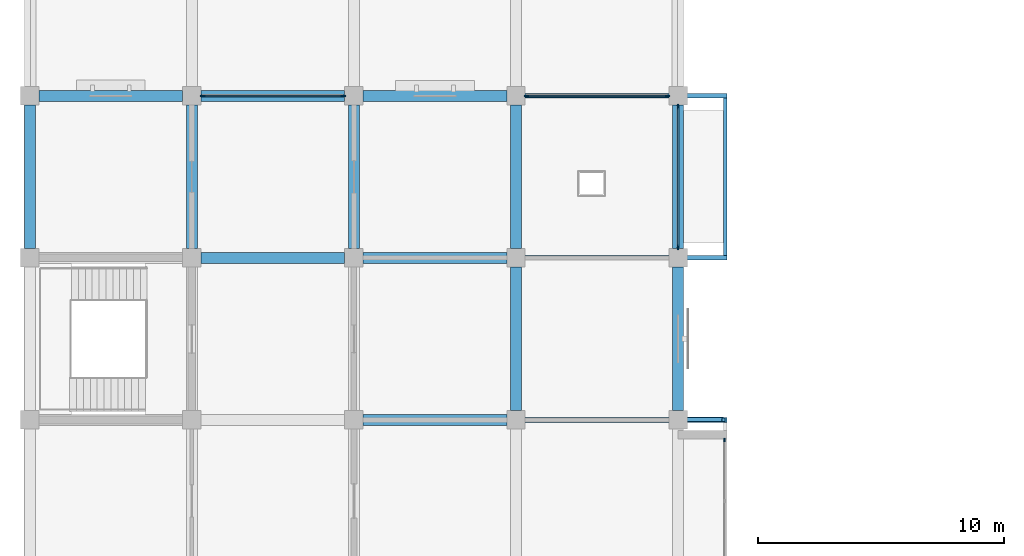
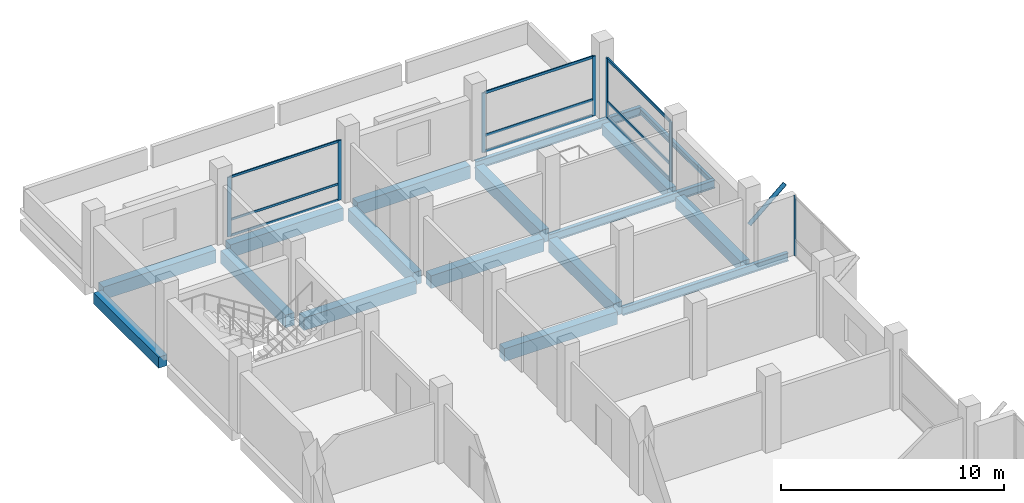
# One storey, part 5 of 15: 17 beams, 17 members, 4 elements without a shape of their own.
"""IFC4 building model written with IfcOpenShell, lengths in metres."""

from ifc_helpers import new_model, si_unit, direction, frame, origin, origin_2d, place, context, subcontext, project, spatial, rectangle, hollow_circle, i_section, extrude, material, material_profile, profile_set, type_object, element, aggregate, save


model = new_model("IFC4")

# Units and contexts
model_context = context("Model", 3, precision=1e-05, world=origin(), true_north=direction((0.0, 1.0)))
body_context = subcontext(model_context, "Body", "Model", "MODEL_VIEW")
ifc_project = project(units=[si_unit("LENGTHUNIT", "METRE"), si_unit("AREAUNIT", "SQUARE_METRE"), si_unit("VOLUMEUNIT", "CUBIC_METRE"), si_unit("PLANEANGLEUNIT", "RADIAN"), si_unit("MASSUNIT", "GRAM", prefix="KILO")], contexts=[model_context])

# Site, building, storey
site_placement = place(None, origin())
site = spatial("IfcSite", under=ifc_project, at=site_placement, CompositionType="ELEMENT")
building_placement = place(site_placement, origin())
building = spatial("IfcBuilding", under=site, at=building_placement, Name="Rusizi Kubbe Research Institute", CompositionType="ELEMENT")
storey_placement = place(building_placement, frame((0.0, 0.0, 27.0)))
storey = spatial("IfcBuildingStorey", under=building, at=storey_placement, Name="L06", CompositionType="ELEMENT", Elevation=27.0)

# Beams
ifc_material_1 = material(Name="Steel S355", Category="steel")
ifc_material_profile_1 = material_profile(ifc_material_1, i_section(OverallWidth=0.14990234375, OverallDepth=0.300048828125, WebThickness=0.007080078125, FlangeThickness=0.0107421875, at=origin_2d()), Name="IPE 300")
ifc_profile_set_1 = profile_set([ifc_material_profile_1], Name="Steel S355")
beam_type_1 = type_object("IfcBeamType", Name="BM-IPE300", PredefinedType="BEAM", material=ifc_profile_set_1)
beam_1_placement = place(storey_placement, frame((28.324951171875, 72.695068359375, -0.47998046875), z_axis=(0.0, 1.0, 0.0), x_axis=(-1.0, 0.0, 0.0)))
element("IfcBeam", 1, at=beam_1_placement, inside=storey, type_object=beam_type_1, Name="Cumba Edge Tie Beam L06-4", PredefinedType="BEAM", context=body_context, shape_type="SweptSolid", body=[
    extrude(i_section(OverallWidth=0.14990234375, OverallDepth=0.300048828125, WebThickness=0.007080078125, FlangeThickness=0.0107421875, at=origin_2d()), origin(), (0.0, 0.0, 1.0), 6.409912109375),
])
ifc_material_2 = material(Name="Steel S355", Category="steel")
ifc_material_profile_2 = material_profile(ifc_material_2, i_section(OverallWidth=0.18994140625, OverallDepth=0.449951171875, WebThickness=0.009521484375, FlangeThickness=0.0146484375, at=origin_2d()), Name="IPE 450")
ifc_profile_set_2 = profile_set([ifc_material_profile_2], Name="Steel S355")
beam_type_2 = type_object("IfcBeamType", Name="BM-IPE450", PredefinedType="BEAM", material=ifc_profile_set_2)
for number, where, z_axis, x_axis, name in (
    (2, (19.800048828125, 66.0, -0.554931640625), (1.0, 0.0, 0.0), (0.0, 1.0, 0.0), "Cumba Back-Spanned Cantilever Beam L06-2N"),
    (3, (19.800048828125, 72.60009765625, -0.554931640625), (1.0, 0.0, 0.0), (0.0, 1.0, 0.0), "Cumba Back-Spanned Cantilever Beam L06-4S"),
    (4, (19.800048828125, 79.199951171875, -0.554931640625), (1.0, 0.0, 0.0), (0.0, 1.0, 0.0), "Cumba Back-Spanned Cantilever Beam L06-4N"),
):
    element("IfcBeam", number, at=place(storey_placement, frame(where, z_axis=z_axis, x_axis=x_axis)), inside=storey, type_object=beam_type_2, Name=name, PredefinedType="BEAM", context=body_context, shape_type="SweptSolid", body=[
        extrude(i_section(OverallWidth=0.18994140625, OverallDepth=0.449951171875, WebThickness=0.009521484375, FlangeThickness=0.0146484375, at=origin_2d()), origin(), (0.0, 0.0, 1.0), 8.599853515625),
    ])
ifc_material_3 = material(Name="Concrete C40/50", Category="concrete")
ifc_material_profile_3 = material_profile(ifc_material_3, rectangle(XDim=0.449951171875, YDim=0.60009765625, at=origin_2d()), Name="RC450x600")
ifc_profile_set_3 = profile_set([ifc_material_profile_3], Name="Concrete C40/50")
beam_type_3 = type_object("IfcBeamType", Name="BM-RC450x600", PredefinedType="SPANDREL", material=ifc_profile_set_3)
beam_2_placement = place(storey_placement, frame((0.0, 72.97509765625, -0.6298828125), z_axis=(0.0, 1.0, 0.0), x_axis=(-1.0, 0.0, 0.0)))
element("IfcBeam", 5, at=beam_2_placement, inside=storey, type_object=beam_type_3, Name="Grid Beam V L06 (0,11)", PredefinedType="SPANDREL", context=body_context, shape_type="SweptSolid", body=[
    extrude(rectangle(XDim=0.449951171875, YDim=0.60009765625, at=origin_2d()), origin(), (0.0, 0.0, 1.0), 5.849853515625),
])
beam_3_placement = place(storey_placement, frame((26.39990234375, 66.375, -0.6298828125), z_axis=(0.0, 1.0, 0.0), x_axis=(-1.0, 0.0, 0.0)))
element("IfcBeam", 6, at=beam_3_placement, inside=storey, type_object=beam_type_3, Name="Grid Beam V L06 (4,10)", PredefinedType="SPANDREL", context=body_context, shape_type="SweptSolid", body=[
    extrude(rectangle(XDim=0.449951171875, YDim=0.60009765625, at=origin_2d()), origin(), (0.0, 0.0, 1.0), 5.85009765625),
])
beam_4_placement = place(storey_placement, frame((26.39990234375, 72.97509765625, -0.6298828125), z_axis=(0.0, 1.0, 0.0), x_axis=(-1.0, 0.0, 0.0)))
element("IfcBeam", 7, at=beam_4_placement, inside=storey, type_object=beam_type_3, Name="Grid Beam V L06 (4,11)", PredefinedType="SPANDREL", context=body_context, shape_type="SweptSolid", body=[
    extrude(rectangle(XDim=0.449951171875, YDim=0.60009765625, at=origin_2d()), origin(), (0.0, 0.0, 1.0), 5.849853515625),
])
ifc_material_4 = material(Name="Concrete C40/50", Category="concrete")
ifc_material_profile_4 = material_profile(ifc_material_4, rectangle(XDim=0.449951171875, YDim=0.699951171875, at=origin_2d()), Name="RC450x700B")
ifc_profile_set_4 = profile_set([ifc_material_profile_4], Name="Concrete C40/50")
beam_type_4 = type_object("IfcBeamType", Name="BM-RC450x700", PredefinedType="BEAM", material=ifc_profile_set_4)
beam_5_placement = place(storey_placement, frame((0.375, 79.199951171875, -0.679931640625), z_axis=(1.0, 0.0, 0.0), x_axis=(0.0, 1.0, 0.0)))
element("IfcBeam", 8, at=beam_5_placement, inside=storey, type_object=beam_type_4, Name="Grid Beam H L06 (0,12)", PredefinedType="BEAM", context=body_context, shape_type="SweptSolid", body=[
    extrude(rectangle(XDim=0.449951171875, YDim=0.699951171875, at=origin_2d()), origin(), (0.0, 0.0, 1.0), 5.85009765625),
])
for number, where, z_axis, x_axis, name in (
    (9, (6.97509765625, 72.60009765625, -0.679931640625), (1.0, 0.0, 0.0), (0.0, 1.0, 0.0), "Grid Beam H L06 (1,11)"),
    (10, (6.97509765625, 79.199951171875, -0.679931640625), (1.0, 0.0, 0.0), (0.0, 1.0, 0.0), "Grid Beam H L06 (1,12)"),
):
    element("IfcBeam", number, at=place(storey_placement, frame(where, z_axis=z_axis, x_axis=x_axis)), inside=storey, type_object=beam_type_4, Name=name, PredefinedType="BEAM", context=body_context, shape_type="SweptSolid", body=[
        extrude(rectangle(XDim=0.449951171875, YDim=0.699951171875, at=origin_2d()), origin(), (0.0, 0.0, 1.0), 5.849853515625),
    ])
for number, where, z_axis, x_axis, name in (
    (11, (13.574951171875, 66.0, -0.679931640625), (1.0, 0.0, 0.0), (0.0, 1.0, 0.0), "Grid Beam H L06 (2,10)"),
    (12, (13.574951171875, 72.60009765625, -0.679931640625), (1.0, 0.0, 0.0), (0.0, 1.0, 0.0), "Grid Beam H L06 (2,11)"),
    (13, (13.574951171875, 79.199951171875, -0.679931640625), (1.0, 0.0, 0.0), (0.0, 1.0, 0.0), "Grid Beam H L06 (2,12)"),
):
    element("IfcBeam", number, at=place(storey_placement, frame(where, z_axis=z_axis, x_axis=x_axis)), inside=storey, type_object=beam_type_4, Name=name, PredefinedType="BEAM", context=body_context, shape_type="SweptSolid", body=[
        extrude(rectangle(XDim=0.449951171875, YDim=0.699951171875, at=origin_2d()), origin(), (0.0, 0.0, 1.0), 5.85009765625),
    ])
for number, where, z_axis, x_axis, name in (
    (14, (6.60009765625, 72.97509765625, -0.679931640625), (0.0, 1.0, 0.0), (-1.0, 0.0, 0.0), "Grid Beam V L06 (1,11)"),
    (15, (13.199951171875, 72.97509765625, -0.679931640625), (0.0, 1.0, 0.0), (-1.0, 0.0, 0.0), "Grid Beam V L06 (2,11)"),
):
    element("IfcBeam", number, at=place(storey_placement, frame(where, z_axis=z_axis, x_axis=x_axis)), inside=storey, type_object=beam_type_4, Name=name, PredefinedType="BEAM", context=body_context, shape_type="SweptSolid", body=[
        extrude(rectangle(XDim=0.449951171875, YDim=0.699951171875, at=origin_2d()), origin(), (0.0, 0.0, 1.0), 5.849853515625),
    ])
beam_6_placement = place(storey_placement, frame((19.800048828125, 66.375, -0.679931640625), z_axis=(0.0, 1.0, 0.0), x_axis=(-1.0, 0.0, 0.0)))
element("IfcBeam", 16, at=beam_6_placement, inside=storey, type_object=beam_type_4, Name="Grid Beam V L06 (3,10)", PredefinedType="BEAM", context=body_context, shape_type="SweptSolid", body=[
    extrude(rectangle(XDim=0.449951171875, YDim=0.699951171875, at=origin_2d()), origin(), (0.0, 0.0, 1.0), 5.85009765625),
])
beam_7_placement = place(storey_placement, frame((19.800048828125, 72.97509765625, -0.679931640625), z_axis=(0.0, 1.0, 0.0), x_axis=(-1.0, 0.0, 0.0)))
element("IfcBeam", 17, at=beam_7_placement, inside=storey, type_object=beam_type_4, Name="Grid Beam V L06 (3,11)", PredefinedType="BEAM", context=body_context, shape_type="SweptSolid", body=[
    extrude(rectangle(XDim=0.449951171875, YDim=0.699951171875, at=origin_2d()), origin(), (0.0, 0.0, 1.0), 5.849853515625),
])

# Member
ifc_material_5 = material(Name="Steel S355", Category="steel")
ifc_material_profile_5 = material_profile(ifc_material_5, hollow_circle(Radius=0.109619140625, WallThickness=0.008056640625, at=origin_2d()), Name="CHS 219.1x8.0")
ifc_profile_set_5 = profile_set([ifc_material_profile_5], Name="Steel S355")
member_type_1 = type_object("IfcMemberType", Name="MB-CHS219", PredefinedType="BRACE", material=ifc_profile_set_5)
member_1_placement = place(storey_placement, frame((26.39990234375, 66.0, 1.8701171875), z_axis=(0.756409887843, 0.0, 0.654097914362), x_axis=(0.0, 1.0, 0.0)))
element("IfcMember", 18, at=member_1_placement, inside=storey, type_object=member_type_1, Name="Cumba Diagonal Corbel Brace L07-2N", PredefinedType="BRACE", context=body_context, shape_type="SweptSolid", body=[
    extrude(hollow_circle(Radius=0.109619140625, WallThickness=0.008056640625, at=origin_2d()), origin(), (0.0, 0.0, 1.0), 2.44580078125),
])

# Curtain wall, member
ifc_material_6 = material(Name="Thermally Broken Aluminium and Low-E Glazing", Category="aluminium")
curtain_wall_type_1 = type_object("IfcCurtainWallType", Name="CW-02", PredefinedType="NOTDEFINED", material=ifc_material_6)
curtain_wall_1_placement = place(storey_placement, origin())
curtain_wall_1 = element("IfcCurtainWall", 19, at=curtain_wall_1_placement, inside=storey, type_object=curtain_wall_type_1, Name="Cumba Glazed Curtain Wall CW-CUMBA-L06-072", PredefinedType="NOTDEFINED")
ifc_material_7 = material(Name="Aluminium Alloy 6063-T6", Category="aluminium")
ifc_material_profile_6 = material_profile(ifc_material_7, rectangle(XDim=0.06005859375, YDim=0.14990234375, at=origin_2d()), Name="ALU-M 60x150")
ifc_profile_set_6 = profile_set([ifc_material_profile_6], Name="Aluminium Alloy 6063-T6")
member_type_2 = type_object("IfcMemberType", Name="ML-01", PredefinedType="MULLION", material=ifc_profile_set_6)
member_2_placement = place(storey_placement, frame((28.300048828125, 65.1875, 0.0), z_axis=(0.0, 0.0, 1.0), x_axis=(-1.0, 0.0, 0.0)))
member_2 = element("IfcMember", 20, at=member_2_placement, type_object=member_type_2, Name="CW-02 mullion 3", PredefinedType="MULLION", context=body_context, shape_type="SweptSolid", body=[
    extrude(rectangle(XDim=0.06005859375, YDim=0.14990234375, at=origin_2d()), origin(), (0.0, 0.0, 1.0), 3.27001953125),
])
aggregate(curtain_wall_1, [member_2])

# Curtain wall, members
ifc_material_8 = material(Name="Thermally Broken Aluminium and Low-E Glazing", Category="aluminium")
curtain_wall_type_2 = type_object("IfcCurtainWallType", Name="CW-08", PredefinedType="NOTDEFINED", material=ifc_material_8)
curtain_wall_2_placement = place(storey_placement, origin())
curtain_wall_2 = element("IfcCurtainWall", 21, at=curtain_wall_2_placement, inside=storey, type_object=curtain_wall_type_2, Name="Unitised Facade Curtain Wall CW-L06-H-03-12", PredefinedType="NOTDEFINED")
ifc_material_9 = material(Name="Aluminium Alloy 6063-T6", Category="aluminium")
ifc_material_profile_7 = material_profile(ifc_material_9, rectangle(XDim=0.06005859375, YDim=0.179931640625, at=origin_2d()), Name="ALU-M 60x180")
ifc_profile_set_7 = profile_set([ifc_material_profile_7], Name="Aluminium Alloy 6063-T6")
member_type_3 = type_object("IfcMemberType", Name="ML-02", PredefinedType="MULLION", material=ifc_profile_set_7)
member_3_placement = place(storey_placement, frame((20.235107421875, 79.199951171875, 0.0), z_axis=(0.0, 0.0, 1.0), x_axis=(0.0, 1.0, 0.0)))
member_3 = element("IfcMember", 22, at=member_3_placement, type_object=member_type_3, Name="CW-08 mullion 1", PredefinedType="MULLION", context=body_context, shape_type="SweptSolid", body=[
    extrude(rectangle(XDim=0.06005859375, YDim=0.179931640625, at=origin_2d()), origin(), (0.0, 0.0, 1.0), 3.27001953125),
])
member_4_placement = place(storey_placement, frame((25.965087890625, 79.199951171875, 0.0), z_axis=(0.0, 0.0, 1.0), x_axis=(0.0, 1.0, 0.0)))
member_4 = element("IfcMember", 23, at=member_4_placement, type_object=member_type_3, Name="CW-08 mullion 2", PredefinedType="MULLION", context=body_context, shape_type="SweptSolid", body=[
    extrude(rectangle(XDim=0.06005859375, YDim=0.179931640625, at=origin_2d()), origin(), (0.0, 0.0, 1.0), 3.27001953125),
])

ifc_material_10 = material(Name="Thermally Broken Aluminium and Low-E Glazing", Category="aluminium")
curtain_wall_type_3 = type_object("IfcCurtainWallType", Name="CW-09", PredefinedType="NOTDEFINED", material=ifc_material_10)
curtain_wall_3_placement = place(storey_placement, origin())
curtain_wall_3 = element("IfcCurtainWall", 24, at=curtain_wall_3_placement, inside=storey, type_object=curtain_wall_type_3, Name="Unitised Facade Curtain Wall CW-L06-H-01-12", PredefinedType="NOTDEFINED")
ifc_material_11 = material(Name="Aluminium Alloy 6063-T6", Category="aluminium")
ifc_material_profile_8 = material_profile(ifc_material_11, rectangle(XDim=0.06494140625, YDim=0.199951171875, at=origin_2d()), Name="ALU-M 65x200")
ifc_profile_set_8 = profile_set([ifc_material_profile_8], Name="Aluminium Alloy 6063-T6")
member_type_4 = type_object("IfcMemberType", Name="ML-03", PredefinedType="MULLION", material=ifc_profile_set_8)
member_5_placement = place(storey_placement, frame((7.03759765625, 79.199951171875, 0.0), z_axis=(0.0, 0.0, 1.0), x_axis=(0.0, 1.0, 0.0)))
member_5 = element("IfcMember", 25, at=member_5_placement, type_object=member_type_4, Name="CW-09 mullion 1", PredefinedType="MULLION", context=body_context, shape_type="SweptSolid", body=[
    extrude(rectangle(XDim=0.06494140625, YDim=0.199951171875, at=origin_2d()), origin(), (0.0, 0.0, 1.0), 3.27001953125),
])
member_6_placement = place(storey_placement, frame((12.762451171875, 79.199951171875, 0.0), z_axis=(0.0, 0.0, 1.0), x_axis=(0.0, 1.0, 0.0)))
member_6 = element("IfcMember", 26, at=member_6_placement, type_object=member_type_4, Name="CW-09 mullion 2", PredefinedType="MULLION", context=body_context, shape_type="SweptSolid", body=[
    extrude(rectangle(XDim=0.06494140625, YDim=0.199951171875, at=origin_2d()), origin(), (0.0, 0.0, 1.0), 3.27001953125),
])

curtain_wall_4_placement = place(storey_placement, origin())
curtain_wall_4 = element("IfcCurtainWall", 27, at=curtain_wall_4_placement, inside=storey, type_object=curtain_wall_type_3, Name="Unitised Facade Curtain Wall CW-L06-V-04-11", PredefinedType="NOTDEFINED")
member_7_placement = place(storey_placement, frame((26.39990234375, 73.03759765625, 0.0), z_axis=(0.0, 0.0, 1.0), x_axis=(-1.0, 0.0, 0.0)))
member_7 = element("IfcMember", 28, at=member_7_placement, type_object=member_type_4, Name="CW-09 mullion 1", PredefinedType="MULLION", context=body_context, shape_type="SweptSolid", body=[
    extrude(rectangle(XDim=0.06494140625, YDim=0.199951171875, at=origin_2d()), origin(), (0.0, 0.0, 1.0), 3.27001953125),
])
member_8_placement = place(storey_placement, frame((26.39990234375, 78.762451171875, 0.0), z_axis=(0.0, 0.0, 1.0), x_axis=(-1.0, 0.0, 0.0)))
member_8 = element("IfcMember", 29, at=member_8_placement, type_object=member_type_4, Name="CW-09 mullion 2", PredefinedType="MULLION", context=body_context, shape_type="SweptSolid", body=[
    extrude(rectangle(XDim=0.06494140625, YDim=0.199951171875, at=origin_2d()), origin(), (0.0, 0.0, 1.0), 3.27001953125),
])

# Member
ifc_material_12 = material(Name="Aluminium Alloy 6063-T6", Category="aluminium")
ifc_material_profile_9 = material_profile(ifc_material_12, rectangle(XDim=0.06005859375, YDim=0.1201171875, at=origin_2d()), Name="ALU-T 60x120")
ifc_profile_set_9 = profile_set([ifc_material_profile_9], Name="Aluminium Alloy 6063-T6")
member_type_5 = type_object("IfcMemberType", Name="TR-01", PredefinedType="USERDEFINED", material=ifc_profile_set_9)
member_9_placement = place(storey_placement, frame((7.070068359375, 79.199951171875, 0.030029296875), z_axis=(1.0, 0.0, 0.0), x_axis=(0.0, 1.0, 0.0)))
member_9 = element("IfcMember", 30, at=member_9_placement, type_object=member_type_5, Name="CW-09 transom 1.1", ObjectType="TRANSOM", PredefinedType="USERDEFINED", context=body_context, shape_type="SweptSolid", body=[
    extrude(rectangle(XDim=0.06005859375, YDim=0.1201171875, at=origin_2d()), origin(), (0.0, 0.0, 1.0), 5.659912109375),
])

member_10_placement = place(storey_placement, frame((7.070068359375, 79.199951171875, 0.89990234375), z_axis=(1.0, 0.0, 0.0), x_axis=(0.0, 1.0, 0.0)))
member_10 = element("IfcMember", 31, at=member_10_placement, type_object=member_type_5, Name="CW-09 transom 1.2", ObjectType="TRANSOM", PredefinedType="USERDEFINED", context=body_context, shape_type="SweptSolid", body=[
    extrude(rectangle(XDim=0.06005859375, YDim=0.1201171875, at=origin_2d()), origin(), (0.0, 0.0, 1.0), 5.659912109375),
])

member_11_placement = place(storey_placement, frame((7.070068359375, 79.199951171875, 3.239990234375), z_axis=(1.0, 0.0, 0.0), x_axis=(0.0, 1.0, 0.0)))
member_11 = element("IfcMember", 32, at=member_11_placement, type_object=member_type_5, Name="CW-09 transom 1.3", ObjectType="TRANSOM", PredefinedType="USERDEFINED", context=body_context, shape_type="SweptSolid", body=[
    extrude(rectangle(XDim=0.06005859375, YDim=0.1201171875, at=origin_2d()), origin(), (0.0, 0.0, 1.0), 5.659912109375),
])

aggregate(curtain_wall_3, [member_5, member_6, member_9, member_10, member_11])

ifc_material_13 = material(Name="Aluminium Alloy 6063-T6", Category="aluminium")
ifc_material_profile_10 = material_profile(ifc_material_13, rectangle(XDim=0.06005859375, YDim=0.139892578125, at=origin_2d()), Name="ALU-T 60x140")
ifc_profile_set_10 = profile_set([ifc_material_profile_10], Name="Aluminium Alloy 6063-T6")
member_type_6 = type_object("IfcMemberType", Name="TR-02", PredefinedType="USERDEFINED", material=ifc_profile_set_10)
member_12_placement = place(storey_placement, frame((20.264892578125, 79.199951171875, 0.030029296875), z_axis=(1.0, 0.0, 0.0), x_axis=(0.0, 1.0, 0.0)))
member_12 = element("IfcMember", 33, at=member_12_placement, type_object=member_type_6, Name="CW-08 transom 1.1", ObjectType="TRANSOM", PredefinedType="USERDEFINED", context=body_context, shape_type="SweptSolid", body=[
    extrude(rectangle(XDim=0.06005859375, YDim=0.139892578125, at=origin_2d()), origin(), (0.0, 0.0, 1.0), 5.670166015625),
])

member_13_placement = place(storey_placement, frame((20.264892578125, 79.199951171875, 0.89990234375), z_axis=(1.0, 0.0, 0.0), x_axis=(0.0, 1.0, 0.0)))
member_13 = element("IfcMember", 34, at=member_13_placement, type_object=member_type_6, Name="CW-08 transom 1.2", ObjectType="TRANSOM", PredefinedType="USERDEFINED", context=body_context, shape_type="SweptSolid", body=[
    extrude(rectangle(XDim=0.06005859375, YDim=0.139892578125, at=origin_2d()), origin(), (0.0, 0.0, 1.0), 5.670166015625),
])

member_14_placement = place(storey_placement, frame((20.264892578125, 79.199951171875, 3.239990234375), z_axis=(1.0, 0.0, 0.0), x_axis=(0.0, 1.0, 0.0)))
member_14 = element("IfcMember", 35, at=member_14_placement, type_object=member_type_6, Name="CW-08 transom 1.3", ObjectType="TRANSOM", PredefinedType="USERDEFINED", context=body_context, shape_type="SweptSolid", body=[
    extrude(rectangle(XDim=0.06005859375, YDim=0.139892578125, at=origin_2d()), origin(), (0.0, 0.0, 1.0), 5.670166015625),
])

aggregate(curtain_wall_2, [member_3, member_4, member_12, member_13, member_14])

ifc_material_14 = material(Name="Aluminium Alloy 6063-T6", Category="aluminium")
ifc_material_profile_11 = material_profile(ifc_material_14, rectangle(XDim=0.06494140625, YDim=0.159912109375, at=origin_2d()), Name="ALU-T 65x160")
ifc_profile_set_11 = profile_set([ifc_material_profile_11], Name="Aluminium Alloy 6063-T6")
member_type_7 = type_object("IfcMemberType", Name="TR-03", PredefinedType="USERDEFINED", material=ifc_profile_set_11)
member_15_placement = place(storey_placement, frame((26.39990234375, 73.070068359375, 0.032470703125), z_axis=(0.0, 1.0, 0.0), x_axis=(-1.0, 0.0, 0.0)))
member_15 = element("IfcMember", 36, at=member_15_placement, type_object=member_type_7, Name="CW-09 transom 1.1", ObjectType="TRANSOM", PredefinedType="USERDEFINED", context=body_context, shape_type="SweptSolid", body=[
    extrude(rectangle(XDim=0.06494140625, YDim=0.159912109375, at=origin_2d()), origin(), (0.0, 0.0, 1.0), 5.659912109375),
])

member_16_placement = place(storey_placement, frame((26.39990234375, 73.070068359375, 0.89990234375), z_axis=(0.0, 1.0, 0.0), x_axis=(-1.0, 0.0, 0.0)))
member_16 = element("IfcMember", 37, at=member_16_placement, type_object=member_type_7, Name="CW-09 transom 1.2", ObjectType="TRANSOM", PredefinedType="USERDEFINED", context=body_context, shape_type="SweptSolid", body=[
    extrude(rectangle(XDim=0.06494140625, YDim=0.159912109375, at=origin_2d()), origin(), (0.0, 0.0, 1.0), 5.659912109375),
])

member_17_placement = place(storey_placement, frame((26.39990234375, 73.070068359375, 3.237548828125), z_axis=(0.0, 1.0, 0.0), x_axis=(-1.0, 0.0, 0.0)))
member_17 = element("IfcMember", 38, at=member_17_placement, type_object=member_type_7, Name="CW-09 transom 1.3", ObjectType="TRANSOM", PredefinedType="USERDEFINED", context=body_context, shape_type="SweptSolid", body=[
    extrude(rectangle(XDim=0.06494140625, YDim=0.159912109375, at=origin_2d()), origin(), (0.0, 0.0, 1.0), 5.659912109375),
])

aggregate(curtain_wall_4, [member_7, member_8, member_15, member_16, member_17])

save(model, "model.ifc")
